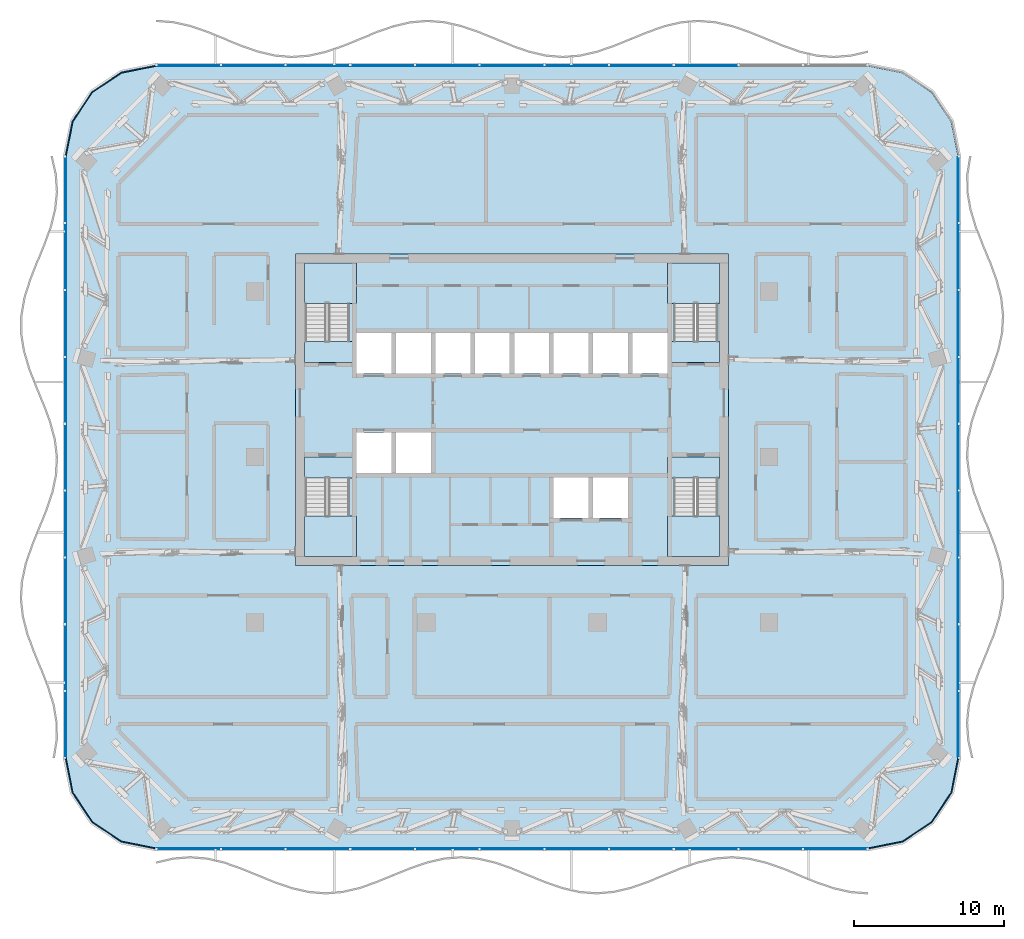
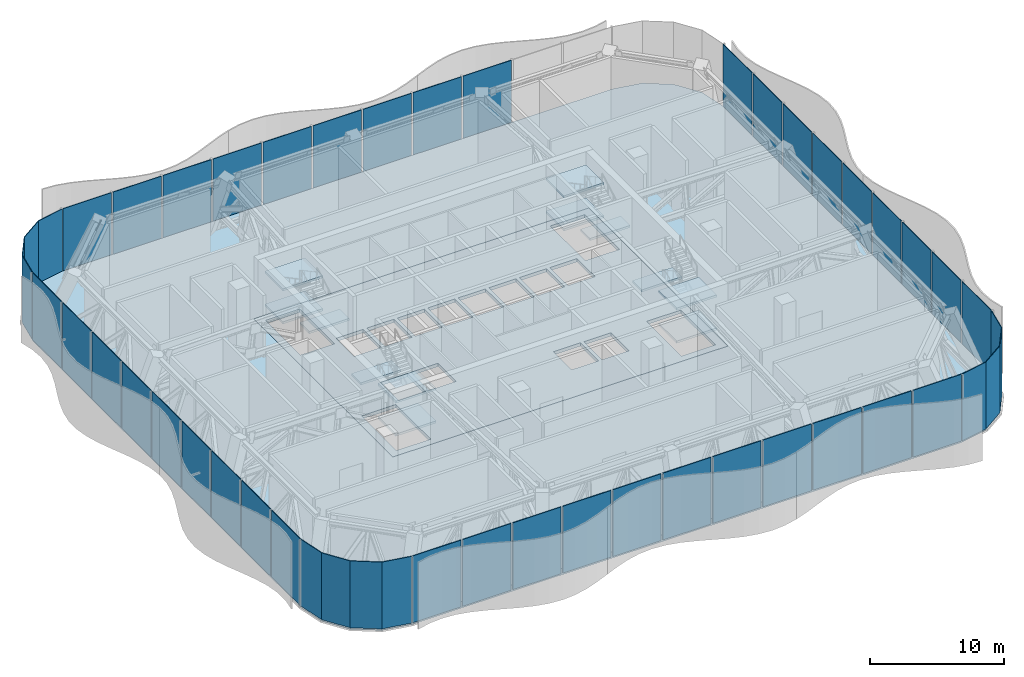
# One storey, part 9 of 29: 41 plates, 14 slabs, 11 elements without a shape of their own.
"""IFC4 building model written with IfcOpenShell, lengths in metres."""

from ifc_helpers import new_model, si_unit, direction, frame, origin, origin_2d, place, context, subcontext, project, spatial, polyline, rectangle, outline, extrude, material, layer, layer_set, type_object, element, aggregate, save


model = new_model("IFC4")

# Units and contexts
model_context = context("Model", 3, precision=1e-05, world=origin(), true_north=direction((0.0, 1.0)))
body_context = subcontext(model_context, "Body", "Model", "MODEL_VIEW")
ifc_project = project(units=[si_unit("LENGTHUNIT", "METRE"), si_unit("AREAUNIT", "SQUARE_METRE"), si_unit("VOLUMEUNIT", "CUBIC_METRE"), si_unit("PLANEANGLEUNIT", "RADIAN"), si_unit("MASSUNIT", "GRAM", prefix="KILO")], contexts=[model_context])

# Site, building, storey
site_placement = place(None, origin())
site = spatial("IfcSite", under=ifc_project, at=site_placement, CompositionType="ELEMENT")
building_placement = place(site_placement, origin())
building = spatial("IfcBuilding", under=site, at=building_placement, Name="Mopane Tessera Tower", CompositionType="ELEMENT")
storey_placement = place(building_placement, frame((0.0, 0.0, 315.39990234375)))
storey = spatial("IfcBuildingStorey", under=building, at=storey_placement, Name="L69", CompositionType="ELEMENT", Elevation=315.39990234375)

# Slab
ifc_material_1 = material(Name="Concrete C40/50", Category="concrete")
ifc_layer_1 = layer(ifc_material_1, 0.300048828125)
ifc_layer_set_1 = layer_set([ifc_layer_1], Name="Concrete C40/50")
slab_type_1 = type_object("IfcSlabType", Name="Core floor slab 300 mm", PredefinedType="FLOOR", material=ifc_layer_set_1)
slab_1_placement = place(storey_placement, frame((0.0, 0.0, -0.2998046875)))
element("IfcSlab", 1, at=slab_1_placement, inside=storey, type_object=slab_type_1, Name="L69 core floor slab", PredefinedType="FLOOR", context=body_context, shape_type="SweptSolid", body=[
    extrude(outline(polyline([(-14.39990234375, -7.199951171875), (14.39990234375, -7.199951171875), (14.39990234375, 13.5), (-14.39990234375, 13.5), (-14.39990234375, -7.199951171875)]), holes=[polyline([(-10.35009765625, -1.050048828125), (-8.02490234375, -1.050048828125), (-8.02490234375, 1.64990234375), (-10.35009765625, 1.64990234375), (-10.35009765625, -1.050048828125)]), polyline([(-7.72509765625, -1.050048828125), (-5.39990234375, -1.050048828125), (-5.39990234375, 1.64990234375), (-7.72509765625, 1.64990234375), (-7.72509765625, -1.050048828125)]), polyline([(-10.35009765625, 5.550048828125), (-8.02490234375, 5.550048828125), (-8.02490234375, 8.25), (-10.35009765625, 8.25), (-10.35009765625, 5.550048828125)]), polyline([(-7.72509765625, 5.550048828125), (-5.39990234375, 5.550048828125), (-5.39990234375, 8.25), (-7.72509765625, 8.25), (-7.72509765625, 5.550048828125)]), polyline([(-5.10009765625, 5.550048828125), (-2.77490234375, 5.550048828125), (-2.77490234375, 8.25), (-5.10009765625, 8.25), (-5.10009765625, 5.550048828125)]), polyline([(-2.47509765625, 5.550048828125), (-0.14990234375, 5.550048828125), (-0.14990234375, 8.25), (-2.47509765625, 8.25), (-2.47509765625, 5.550048828125)]), polyline([(0.14990234375, 5.550048828125), (2.47509765625, 5.550048828125), (2.47509765625, 8.25), (0.14990234375, 8.25), (0.14990234375, 5.550048828125)]), polyline([(2.77490234375, 5.550048828125), (5.10009765625, 5.550048828125), (5.10009765625, 8.25), (2.77490234375, 8.25), (2.77490234375, 5.550048828125)]), polyline([(5.39990234375, 5.550048828125), (7.72509765625, 5.550048828125), (7.72509765625, 8.25), (5.39990234375, 8.25), (5.39990234375, 5.550048828125)]), polyline([(8.02490234375, 5.550048828125), (10.35009765625, 5.550048828125), (10.35009765625, 8.25), (8.02490234375, 8.25), (8.02490234375, 5.550048828125)]), polyline([(2.77490234375, -4.050048828125), (5.10009765625, -4.050048828125), (5.10009765625, -1.35009765625), (2.77490234375, -1.35009765625), (2.77490234375, -4.050048828125)]), polyline([(5.39990234375, -4.050048828125), (7.72509765625, -4.050048828125), (7.72509765625, -1.35009765625), (5.39990234375, -1.35009765625), (5.39990234375, -4.050048828125)]), polyline([(-13.75, -1.405029296875), (-13.75, -6.60009765625), (-10.800048828125, -6.60009765625), (-10.800048828125, -1.405029296875), (-13.75, -1.405029296875)]), polyline([(-10.800048828125, 7.705078125), (-10.800048828125, 12.89990234375), (-13.75, 12.89990234375), (-13.75, 7.705078125), (-10.800048828125, 7.705078125)]), polyline([(10.75, -1.405029296875), (10.75, -6.60009765625), (13.699951171875, -6.60009765625), (13.699951171875, -1.405029296875), (10.75, -1.405029296875)]), polyline([(13.699951171875, 7.705078125), (13.699951171875, 12.89990234375), (10.75, 12.89990234375), (10.75, 7.705078125), (13.699951171875, 7.705078125)])]), origin(), (0.0, 0.0, 1.0), 0.2998046875),
])

# Stair, slabs
ifc_material_2 = material(Name="Concrete C50/60", Category="concrete")
stair_type = type_object("IfcStairType", Name="Escape stair 1400 mm, riser 150 mm", PredefinedType="HALF_TURN_STAIR", material=ifc_material_2)
stair_1_placement = place(storey_placement, origin())
stair_1 = element("IfcStair", 2, at=stair_1_placement, inside=storey, type_object=stair_type, Name="L69 Escape stair south-west", PredefinedType="HALF_TURN_STAIR")
ifc_material_3 = material(Name="Concrete C50/60", Category="concrete")
ifc_layer_2 = layer(ifc_material_3, 0.199951171875)
ifc_layer_set_2 = layer_set([ifc_layer_2], Name="Concrete C50/60")
slab_type_2 = type_object("IfcSlabType", Name="Escape stair landing 200 mm", PredefinedType="LANDING", material=ifc_layer_set_2)
slab_2_placement = place(storey_placement, frame((0.0, 0.0, 1.300048828125)))
slab_2 = element("IfcSlab", 3, at=slab_2_placement, type_object=slab_type_2, Name="ST1 landing 1", PredefinedType="LANDING", context=body_context, shape_type="SweptSolid", body=[
    extrude(outline(polyline([(-13.800048828125, -3.919921875), (-13.800048828125, -6.60009765625), (-10.35009765625, -6.60009765625), (-10.35009765625, -3.919921875), (-13.800048828125, -3.919921875)])), origin(), (0.0, 0.0, 1.0), 0.199951171875),
])
slab_3_placement = place(storey_placement, frame((0.0, 0.0, 2.800048828125)))
slab_3 = element("IfcSlab", 4, at=slab_3_placement, type_object=slab_type_2, Name="ST1 landing 2", PredefinedType="LANDING", context=body_context, shape_type="SweptSolid", body=[
    extrude(outline(polyline([(-13.800048828125, 0.0), (-13.800048828125, -1.39990234375), (-10.35009765625, -1.39990234375), (-10.35009765625, 0.0), (-13.800048828125, 0.0)])), origin(), (0.0, 0.0, 1.0), 0.199951171875),
])
slab_4_placement = place(storey_placement, frame((0.0, 0.0, 4.300048828125)))
slab_4 = element("IfcSlab", 5, at=slab_4_placement, type_object=slab_type_2, Name="ST1 landing 3", PredefinedType="LANDING", context=body_context, shape_type="SweptSolid", body=[
    extrude(outline(polyline([(-13.800048828125, -3.919921875), (-13.800048828125, -6.60009765625), (-10.35009765625, -6.60009765625), (-10.35009765625, -3.919921875), (-13.800048828125, -3.919921875)])), origin(), (0.0, 0.0, 1.0), 0.199951171875),
])
aggregate(stair_1, [slab_2, slab_3, slab_4])

stair_2_placement = place(storey_placement, origin())
stair_2 = element("IfcStair", 6, at=stair_2_placement, inside=storey, type_object=stair_type, Name="L69 Escape stair north-west", PredefinedType="HALF_TURN_STAIR")
slab_5_placement = place(storey_placement, frame((0.0, 0.0, 1.300048828125)))
slab_5 = element("IfcSlab", 7, at=slab_5_placement, type_object=slab_type_2, Name="ST2 landing 1", PredefinedType="LANDING", context=body_context, shape_type="SweptSolid", body=[
    extrude(outline(polyline([(-10.35009765625, 10.219970703125), (-10.35009765625, 12.89990234375), (-13.800048828125, 12.89990234375), (-13.800048828125, 10.219970703125), (-10.35009765625, 10.219970703125)])), origin(), (0.0, 0.0, 1.0), 0.199951171875),
])
slab_6_placement = place(storey_placement, frame((0.0, 0.0, 2.800048828125)))
slab_6 = element("IfcSlab", 8, at=slab_6_placement, type_object=slab_type_2, Name="ST2 landing 2", PredefinedType="LANDING", context=body_context, shape_type="SweptSolid", body=[
    extrude(outline(polyline([(-10.35009765625, 6.300048828125), (-10.35009765625, 7.699951171875), (-13.800048828125, 7.699951171875), (-13.800048828125, 6.300048828125), (-10.35009765625, 6.300048828125)])), origin(), (0.0, 0.0, 1.0), 0.199951171875),
])
slab_7_placement = place(storey_placement, frame((0.0, 0.0, 4.300048828125)))
slab_7 = element("IfcSlab", 9, at=slab_7_placement, type_object=slab_type_2, Name="ST2 landing 3", PredefinedType="LANDING", context=body_context, shape_type="SweptSolid", body=[
    extrude(outline(polyline([(-10.35009765625, 10.219970703125), (-10.35009765625, 12.89990234375), (-13.800048828125, 12.89990234375), (-13.800048828125, 10.219970703125), (-10.35009765625, 10.219970703125)])), origin(), (0.0, 0.0, 1.0), 0.199951171875),
])
aggregate(stair_2, [slab_5, slab_6, slab_7])

stair_3_placement = place(storey_placement, origin())
stair_3 = element("IfcStair", 10, at=stair_3_placement, inside=storey, type_object=stair_type, Name="L69 Escape stair south-east", PredefinedType="HALF_TURN_STAIR")
slab_8_placement = place(storey_placement, frame((0.0, 0.0, 1.300048828125)))
slab_8 = element("IfcSlab", 11, at=slab_8_placement, type_object=slab_type_2, Name="ST3 landing 1", PredefinedType="LANDING", context=body_context, shape_type="SweptSolid", body=[
    extrude(outline(polyline([(10.35009765625, -3.919921875), (10.35009765625, -6.60009765625), (13.800048828125, -6.60009765625), (13.800048828125, -3.919921875), (10.35009765625, -3.919921875)])), origin(), (0.0, 0.0, 1.0), 0.199951171875),
])
slab_9_placement = place(storey_placement, frame((0.0, 0.0, 2.800048828125)))
slab_9 = element("IfcSlab", 12, at=slab_9_placement, type_object=slab_type_2, Name="ST3 landing 2", PredefinedType="LANDING", context=body_context, shape_type="SweptSolid", body=[
    extrude(outline(polyline([(10.35009765625, 0.0), (10.35009765625, -1.39990234375), (13.800048828125, -1.39990234375), (13.800048828125, 0.0), (10.35009765625, 0.0)])), origin(), (0.0, 0.0, 1.0), 0.199951171875),
])
slab_10_placement = place(storey_placement, frame((0.0, 0.0, 4.300048828125)))
slab_10 = element("IfcSlab", 13, at=slab_10_placement, type_object=slab_type_2, Name="ST3 landing 3", PredefinedType="LANDING", context=body_context, shape_type="SweptSolid", body=[
    extrude(outline(polyline([(10.35009765625, -3.919921875), (10.35009765625, -6.60009765625), (13.800048828125, -6.60009765625), (13.800048828125, -3.919921875), (10.35009765625, -3.919921875)])), origin(), (0.0, 0.0, 1.0), 0.199951171875),
])
aggregate(stair_3, [slab_8, slab_9, slab_10])

stair_4_placement = place(storey_placement, origin())
stair_4 = element("IfcStair", 14, at=stair_4_placement, inside=storey, type_object=stair_type, Name="L69 Escape stair north-east", PredefinedType="HALF_TURN_STAIR")
slab_11_placement = place(storey_placement, frame((0.0, 0.0, 1.300048828125)))
slab_11 = element("IfcSlab", 15, at=slab_11_placement, type_object=slab_type_2, Name="ST4 landing 1", PredefinedType="LANDING", context=body_context, shape_type="SweptSolid", body=[
    extrude(outline(polyline([(13.800048828125, 10.219970703125), (13.800048828125, 12.89990234375), (10.35009765625, 12.89990234375), (10.35009765625, 10.219970703125), (13.800048828125, 10.219970703125)])), origin(), (0.0, 0.0, 1.0), 0.199951171875),
])
slab_12_placement = place(storey_placement, frame((0.0, 0.0, 2.800048828125)))
slab_12 = element("IfcSlab", 16, at=slab_12_placement, type_object=slab_type_2, Name="ST4 landing 2", PredefinedType="LANDING", context=body_context, shape_type="SweptSolid", body=[
    extrude(outline(polyline([(13.800048828125, 6.300048828125), (13.800048828125, 7.699951171875), (10.35009765625, 7.699951171875), (10.35009765625, 6.300048828125), (13.800048828125, 6.300048828125)])), origin(), (0.0, 0.0, 1.0), 0.199951171875),
])
slab_13_placement = place(storey_placement, frame((0.0, 0.0, 4.300048828125)))
slab_13 = element("IfcSlab", 17, at=slab_13_placement, type_object=slab_type_2, Name="ST4 landing 3", PredefinedType="LANDING", context=body_context, shape_type="SweptSolid", body=[
    extrude(outline(polyline([(13.800048828125, 10.219970703125), (13.800048828125, 12.89990234375), (10.35009765625, 12.89990234375), (10.35009765625, 10.219970703125), (13.800048828125, 10.219970703125)])), origin(), (0.0, 0.0, 1.0), 0.199951171875),
])
aggregate(stair_4, [slab_11, slab_12, slab_13])

# Slab
ifc_material_4 = material(Name="Concrete C40/50", Category="concrete")
ifc_layer_3 = layer(ifc_material_4, 0.60009765625)
ifc_layer_set_3 = layer_set([ifc_layer_3], Name="Concrete C40/50")
slab_type_3 = type_object("IfcSlabType", Name="Post-tensioned flat plate 600 mm", PredefinedType="FLOOR", material=ifc_layer_set_3)
slab_14_placement = place(storey_placement, frame((0.0, 0.0, -0.599853515625)))
element("IfcSlab", 18, at=slab_14_placement, inside=storey, type_object=slab_type_3, Name="Floor slab L69", PredefinedType="FLOOR", context=body_context, shape_type="SweptSolid", body=[
    extrude(outline(polyline([(-23.64990234375, -26.0), (23.64990234375, -26.0), (25.946044921875, -25.543212890625), (27.892578125, -24.24267578125), (29.193359375, -22.296142578125), (29.64990234375, -20.0), (29.64990234375, 20.0), (29.193359375, 22.296142578125), (27.892578125, 24.24267578125), (25.946044921875, 25.543212890625), (23.64990234375, 26.0), (-23.64990234375, 26.0), (-25.946044921875, 25.543212890625), (-27.892578125, 24.24267578125), (-29.193359375, 22.296142578125), (-29.64990234375, 20.0), (-29.64990234375, -20.0), (-29.193359375, -22.296142578125), (-27.892578125, -24.24267578125), (-25.946044921875, -25.543212890625), (-23.64990234375, -26.0)]), holes=[polyline([(14.39990234375, -7.199951171875), (-14.39990234375, -7.199951171875), (-14.39990234375, 13.5), (14.39990234375, 13.5), (14.39990234375, -7.199951171875)])]), origin(), (0.0, 0.0, 1.0), 0.599853515625),
])

# Curtain wall, plates
ifc_material_5 = material(Name="Aluminium frame", Category="aluminium")
curtain_wall_type = type_object("IfcCurtainWallType", Name="Plant floor unitised wall", PredefinedType="NOTDEFINED", material=ifc_material_5)
curtain_wall_1_placement = place(storey_placement, origin())
curtain_wall_1 = element("IfcCurtainWall", 19, at=curtain_wall_1_placement, inside=storey, type_object=curtain_wall_type, Name="e:cw:L69:S:0", PredefinedType="NOTDEFINED")
ifc_material_6 = material(Name="Limestone spandrel", Category="masonry")
ifc_layer_4 = layer(ifc_material_6, 0.06005859375)
ifc_layer_set_4 = layer_set([ifc_layer_4], Name="Limestone spandrel")
plate_type = type_object("IfcPlateType", Name="Stone spandrel unit", PredefinedType="CURTAIN_PANEL", material=ifc_layer_set_4)
plate_1_placement = place(storey_placement, frame((-21.5, -26.030029296875, -0.419921875), z_axis=(0.0, 0.0, 1.0), x_axis=(1.0, 0.0, 0.0)))
plate_1 = element("IfcPlate", 20, at=plate_1_placement, type_object=plate_type, Name="e:cw:L69:S:0:pn0", PredefinedType="CURTAIN_PANEL", context=body_context, shape_type="SweptSolid", body=[
    extrude(rectangle(XDim=4.159912109375, YDim=0.06005859375, at=origin_2d()), origin(), (0.0, 0.0, 1.0), 6.070068359375),
])
plate_2_placement = place(storey_placement, frame((-17.199951171875, -26.030029296875, -0.419921875), z_axis=(0.0, 0.0, 1.0), x_axis=(1.0, 0.0, 0.0)))
plate_2 = element("IfcPlate", 21, at=plate_2_placement, type_object=plate_type, Name="e:cw:L69:S:0:pn1", PredefinedType="CURTAIN_PANEL", context=body_context, shape_type="SweptSolid", body=[
    extrude(rectangle(XDim=4.159912109375, YDim=0.06005859375, at=origin_2d()), origin(), (0.0, 0.0, 1.0), 6.070068359375),
])
plate_3_placement = place(storey_placement, frame((-12.89990234375, -26.030029296875, -0.419921875), z_axis=(0.0, 0.0, 1.0), x_axis=(1.0, 0.0, 0.0)))
plate_3 = element("IfcPlate", 22, at=plate_3_placement, type_object=plate_type, Name="e:cw:L69:S:0:pn2", PredefinedType="CURTAIN_PANEL", context=body_context, shape_type="SweptSolid", body=[
    extrude(rectangle(XDim=4.159912109375, YDim=0.06005859375, at=origin_2d()), origin(), (0.0, 0.0, 1.0), 6.070068359375),
])
plate_4_placement = place(storey_placement, frame((-8.60009765625, -26.030029296875, -0.419921875), z_axis=(0.0, 0.0, 1.0), x_axis=(1.0, 0.0, 0.0)))
plate_4 = element("IfcPlate", 23, at=plate_4_placement, type_object=plate_type, Name="e:cw:L69:S:0:pn3", PredefinedType="CURTAIN_PANEL", context=body_context, shape_type="SweptSolid", body=[
    extrude(rectangle(XDim=4.159912109375, YDim=0.06005859375, at=origin_2d()), origin(), (0.0, 0.0, 1.0), 6.070068359375),
])
plate_5_placement = place(storey_placement, frame((-4.300048828125, -26.030029296875, -0.419921875), z_axis=(0.0, 0.0, 1.0), x_axis=(1.0, 0.0, 0.0)))
plate_5 = element("IfcPlate", 24, at=plate_5_placement, type_object=plate_type, Name="e:cw:L69:S:0:pn4", PredefinedType="CURTAIN_PANEL", context=body_context, shape_type="SweptSolid", body=[
    extrude(rectangle(XDim=4.159912109375, YDim=0.06005859375, at=origin_2d()), origin(), (0.0, 0.0, 1.0), 6.070068359375),
])
plate_6_placement = place(storey_placement, frame((0.0, -26.030029296875, -0.419921875), z_axis=(0.0, 0.0, 1.0), x_axis=(1.0, 0.0, 0.0)))
plate_6 = element("IfcPlate", 25, at=plate_6_placement, type_object=plate_type, Name="e:cw:L69:S:0:pn5", PredefinedType="CURTAIN_PANEL", context=body_context, shape_type="SweptSolid", body=[
    extrude(rectangle(XDim=4.159912109375, YDim=0.06005859375, at=origin_2d()), origin(), (0.0, 0.0, 1.0), 6.070068359375),
])
plate_7_placement = place(storey_placement, frame((4.300048828125, -26.030029296875, -0.419921875), z_axis=(0.0, 0.0, 1.0), x_axis=(1.0, 0.0, 0.0)))
plate_7 = element("IfcPlate", 26, at=plate_7_placement, type_object=plate_type, Name="e:cw:L69:S:0:pn6", PredefinedType="CURTAIN_PANEL", context=body_context, shape_type="SweptSolid", body=[
    extrude(rectangle(XDim=4.159912109375, YDim=0.06005859375, at=origin_2d()), origin(), (0.0, 0.0, 1.0), 6.070068359375),
])
plate_8_placement = place(storey_placement, frame((8.60009765625, -26.030029296875, -0.419921875), z_axis=(0.0, 0.0, 1.0), x_axis=(1.0, 0.0, 0.0)))
plate_8 = element("IfcPlate", 27, at=plate_8_placement, type_object=plate_type, Name="e:cw:L69:S:0:pn7", PredefinedType="CURTAIN_PANEL", context=body_context, shape_type="SweptSolid", body=[
    extrude(rectangle(XDim=4.159912109375, YDim=0.06005859375, at=origin_2d()), origin(), (0.0, 0.0, 1.0), 6.070068359375),
])
plate_9_placement = place(storey_placement, frame((12.89990234375, -26.030029296875, -0.419921875), z_axis=(0.0, 0.0, 1.0), x_axis=(1.0, 0.0, 0.0)))
plate_9 = element("IfcPlate", 28, at=plate_9_placement, type_object=plate_type, Name="e:cw:L69:S:0:pn8", PredefinedType="CURTAIN_PANEL", context=body_context, shape_type="SweptSolid", body=[
    extrude(rectangle(XDim=4.159912109375, YDim=0.06005859375, at=origin_2d()), origin(), (0.0, 0.0, 1.0), 6.070068359375),
])
plate_10_placement = place(storey_placement, frame((17.199951171875, -26.030029296875, -0.419921875), z_axis=(0.0, 0.0, 1.0), x_axis=(1.0, 0.0, 0.0)))
plate_10 = element("IfcPlate", 29, at=plate_10_placement, type_object=plate_type, Name="e:cw:L69:S:0:pn9", PredefinedType="CURTAIN_PANEL", context=body_context, shape_type="SweptSolid", body=[
    extrude(rectangle(XDim=4.159912109375, YDim=0.06005859375, at=origin_2d()), origin(), (0.0, 0.0, 1.0), 6.070068359375),
])
plate_11_placement = place(storey_placement, frame((21.5, -26.030029296875, -0.419921875), z_axis=(0.0, 0.0, 1.0), x_axis=(1.0, 0.0, 0.0)))
plate_11 = element("IfcPlate", 30, at=plate_11_placement, type_object=plate_type, Name="e:cw:L69:S:0:pn10", PredefinedType="CURTAIN_PANEL", context=body_context, shape_type="SweptSolid", body=[
    extrude(rectangle(XDim=4.159912109375, YDim=0.06005859375, at=origin_2d()), origin(), (0.0, 0.0, 1.0), 6.070068359375),
])
aggregate(curtain_wall_1, [plate_1, plate_2, plate_3, plate_4, plate_5, plate_6, plate_7, plate_8, plate_9, plate_10, plate_11])

# Curtain wall, plate
curtain_wall_2_placement = place(storey_placement, origin())
curtain_wall_2 = element("IfcCurtainWall", 31, at=curtain_wall_2_placement, inside=storey, type_object=curtain_wall_type, Name="e:cw:L69:CS", PredefinedType="NOTDEFINED")
plate_12_placement = place(storey_placement, frame((0.0, 0.0, -0.419921875)))
plate_12 = element("IfcPlate", 32, at=plate_12_placement, type_object=plate_type, Name="e:cw:L69:CS:pn", PredefinedType="CURTAIN_PANEL", context=body_context, shape_type="SweptSolid", body=[
    extrude(outline(polyline([(23.64990234375, -26.0), (25.946044921875, -25.543212890625), (27.892578125, -24.24267578125), (29.193359375, -22.296142578125), (29.64990234375, -20.0), (29.7099609375, -20.0), (29.248779296875, -22.319091796875), (27.93505859375, -24.28515625), (25.968994140625, -25.5986328125), (23.64990234375, -26.06005859375), (23.64990234375, -26.0)])), origin(), (0.0, 0.0, 1.0), 6.070068359375),
])
aggregate(curtain_wall_2, [plate_12])

# Curtain wall, plates
curtain_wall_3_placement = place(storey_placement, origin())
curtain_wall_3 = element("IfcCurtainWall", 33, at=curtain_wall_3_placement, inside=storey, type_object=curtain_wall_type, Name="e:cw:L69:E:0", PredefinedType="NOTDEFINED")
plate_13_placement = place(storey_placement, frame((29.679931640625, -17.77783203125, -0.419921875), z_axis=(0.0, 0.0, 1.0), x_axis=(0.0, 1.0, 0.0)))
plate_13 = element("IfcPlate", 34, at=plate_13_placement, type_object=plate_type, Name="e:cw:L69:E:0:pn0", PredefinedType="CURTAIN_PANEL", context=body_context, shape_type="SweptSolid", body=[
    extrude(rectangle(XDim=4.304443359375, YDim=0.06005859375, at=origin_2d()), origin(), (0.0, 0.0, 1.0), 6.070068359375),
])
plate_14_placement = place(storey_placement, frame((29.679931640625, -13.333251953125, -0.419921875), z_axis=(0.0, 0.0, 1.0), x_axis=(0.0, 1.0, 0.0)))
plate_14 = element("IfcPlate", 35, at=plate_14_placement, type_object=plate_type, Name="e:cw:L69:E:0:pn1", PredefinedType="CURTAIN_PANEL", context=body_context, shape_type="SweptSolid", body=[
    extrude(rectangle(XDim=4.304443359375, YDim=0.06005859375, at=origin_2d()), origin(), (0.0, 0.0, 1.0), 6.070068359375),
])
plate_15_placement = place(storey_placement, frame((29.679931640625, -8.888916015625, -0.419921875), z_axis=(0.0, 0.0, 1.0), x_axis=(0.0, 1.0, 0.0)))
plate_15 = element("IfcPlate", 36, at=plate_15_placement, type_object=plate_type, Name="e:cw:L69:E:0:pn2", PredefinedType="CURTAIN_PANEL", context=body_context, shape_type="SweptSolid", body=[
    extrude(rectangle(XDim=4.304443359375, YDim=0.06005859375, at=origin_2d()), origin(), (0.0, 0.0, 1.0), 6.070068359375),
])
plate_16_placement = place(storey_placement, frame((29.679931640625, -4.4443359375, -0.419921875), z_axis=(0.0, 0.0, 1.0), x_axis=(0.0, 1.0, 0.0)))
plate_16 = element("IfcPlate", 37, at=plate_16_placement, type_object=plate_type, Name="e:cw:L69:E:0:pn3", PredefinedType="CURTAIN_PANEL", context=body_context, shape_type="SweptSolid", body=[
    extrude(rectangle(XDim=4.304443359375, YDim=0.06005859375, at=origin_2d()), origin(), (0.0, 0.0, 1.0), 6.070068359375),
])
plate_17_placement = place(storey_placement, frame((29.679931640625, 0.0, -0.419921875), z_axis=(0.0, 0.0, 1.0), x_axis=(0.0, 1.0, 0.0)))
plate_17 = element("IfcPlate", 38, at=plate_17_placement, type_object=plate_type, Name="e:cw:L69:E:0:pn4", PredefinedType="CURTAIN_PANEL", context=body_context, shape_type="SweptSolid", body=[
    extrude(rectangle(XDim=4.304443359375, YDim=0.06005859375, at=origin_2d()), origin(), (0.0, 0.0, 1.0), 6.070068359375),
])
plate_18_placement = place(storey_placement, frame((29.679931640625, 4.4443359375, -0.419921875), z_axis=(0.0, 0.0, 1.0), x_axis=(0.0, 1.0, 0.0)))
plate_18 = element("IfcPlate", 39, at=plate_18_placement, type_object=plate_type, Name="e:cw:L69:E:0:pn5", PredefinedType="CURTAIN_PANEL", context=body_context, shape_type="SweptSolid", body=[
    extrude(rectangle(XDim=4.304443359375, YDim=0.06005859375, at=origin_2d()), origin(), (0.0, 0.0, 1.0), 6.070068359375),
])
plate_19_placement = place(storey_placement, frame((29.679931640625, 8.888916015625, -0.419921875), z_axis=(0.0, 0.0, 1.0), x_axis=(0.0, 1.0, 0.0)))
plate_19 = element("IfcPlate", 40, at=plate_19_placement, type_object=plate_type, Name="e:cw:L69:E:0:pn6", PredefinedType="CURTAIN_PANEL", context=body_context, shape_type="SweptSolid", body=[
    extrude(rectangle(XDim=4.304443359375, YDim=0.06005859375, at=origin_2d()), origin(), (0.0, 0.0, 1.0), 6.070068359375),
])
plate_20_placement = place(storey_placement, frame((29.679931640625, 13.333251953125, -0.419921875), z_axis=(0.0, 0.0, 1.0), x_axis=(0.0, 1.0, 0.0)))
plate_20 = element("IfcPlate", 41, at=plate_20_placement, type_object=plate_type, Name="e:cw:L69:E:0:pn7", PredefinedType="CURTAIN_PANEL", context=body_context, shape_type="SweptSolid", body=[
    extrude(rectangle(XDim=4.304443359375, YDim=0.06005859375, at=origin_2d()), origin(), (0.0, 0.0, 1.0), 6.070068359375),
])
plate_21_placement = place(storey_placement, frame((29.679931640625, 17.77783203125, -0.419921875), z_axis=(0.0, 0.0, 1.0), x_axis=(0.0, 1.0, 0.0)))
plate_21 = element("IfcPlate", 42, at=plate_21_placement, type_object=plate_type, Name="e:cw:L69:E:0:pn8", PredefinedType="CURTAIN_PANEL", context=body_context, shape_type="SweptSolid", body=[
    extrude(rectangle(XDim=4.304443359375, YDim=0.06005859375, at=origin_2d()), origin(), (0.0, 0.0, 1.0), 6.070068359375),
])
aggregate(curtain_wall_3, [plate_13, plate_14, plate_15, plate_16, plate_17, plate_18, plate_19, plate_20, plate_21])

curtain_wall_4_placement = place(storey_placement, origin())
curtain_wall_4 = element("IfcCurtainWall", 43, at=curtain_wall_4_placement, inside=storey, type_object=curtain_wall_type, Name="e:cw:L69:N:0", PredefinedType="NOTDEFINED")
plate_22_placement = place(storey_placement, frame((12.89990234375, 26.030029296875, -0.419921875), z_axis=(0.0, 0.0, 1.0), x_axis=(-1.0, 0.0, 0.0)))
plate_22 = element("IfcPlate", 44, at=plate_22_placement, type_object=plate_type, Name="e:cw:L69:N:0:pn2", PredefinedType="CURTAIN_PANEL", context=body_context, shape_type="SweptSolid", body=[
    extrude(rectangle(XDim=4.159912109375, YDim=0.06005859375, at=origin_2d()), origin(), (0.0, 0.0, 1.0), 6.070068359375),
])
plate_23_placement = place(storey_placement, frame((8.60009765625, 26.030029296875, -0.419921875), z_axis=(0.0, 0.0, 1.0), x_axis=(-1.0, 0.0, 0.0)))
plate_23 = element("IfcPlate", 45, at=plate_23_placement, type_object=plate_type, Name="e:cw:L69:N:0:pn3", PredefinedType="CURTAIN_PANEL", context=body_context, shape_type="SweptSolid", body=[
    extrude(rectangle(XDim=4.159912109375, YDim=0.06005859375, at=origin_2d()), origin(), (0.0, 0.0, 1.0), 6.070068359375),
])
plate_24_placement = place(storey_placement, frame((4.300048828125, 26.030029296875, -0.419921875), z_axis=(0.0, 0.0, 1.0), x_axis=(-1.0, 0.0, 0.0)))
plate_24 = element("IfcPlate", 46, at=plate_24_placement, type_object=plate_type, Name="e:cw:L69:N:0:pn4", PredefinedType="CURTAIN_PANEL", context=body_context, shape_type="SweptSolid", body=[
    extrude(rectangle(XDim=4.159912109375, YDim=0.06005859375, at=origin_2d()), origin(), (0.0, 0.0, 1.0), 6.070068359375),
])
plate_25_placement = place(storey_placement, frame((0.0, 26.030029296875, -0.419921875), z_axis=(0.0, 0.0, 1.0), x_axis=(-1.0, 0.0, 0.0)))
plate_25 = element("IfcPlate", 47, at=plate_25_placement, type_object=plate_type, Name="e:cw:L69:N:0:pn5", PredefinedType="CURTAIN_PANEL", context=body_context, shape_type="SweptSolid", body=[
    extrude(rectangle(XDim=4.159912109375, YDim=0.06005859375, at=origin_2d()), origin(), (0.0, 0.0, 1.0), 6.070068359375),
])
plate_26_placement = place(storey_placement, frame((-4.300048828125, 26.030029296875, -0.419921875), z_axis=(0.0, 0.0, 1.0), x_axis=(-1.0, 0.0, 0.0)))
plate_26 = element("IfcPlate", 48, at=plate_26_placement, type_object=plate_type, Name="e:cw:L69:N:0:pn6", PredefinedType="CURTAIN_PANEL", context=body_context, shape_type="SweptSolid", body=[
    extrude(rectangle(XDim=4.159912109375, YDim=0.06005859375, at=origin_2d()), origin(), (0.0, 0.0, 1.0), 6.070068359375),
])
plate_27_placement = place(storey_placement, frame((-8.60009765625, 26.030029296875, -0.419921875), z_axis=(0.0, 0.0, 1.0), x_axis=(-1.0, 0.0, 0.0)))
plate_27 = element("IfcPlate", 49, at=plate_27_placement, type_object=plate_type, Name="e:cw:L69:N:0:pn7", PredefinedType="CURTAIN_PANEL", context=body_context, shape_type="SweptSolid", body=[
    extrude(rectangle(XDim=4.159912109375, YDim=0.06005859375, at=origin_2d()), origin(), (0.0, 0.0, 1.0), 6.070068359375),
])
plate_28_placement = place(storey_placement, frame((-12.89990234375, 26.030029296875, -0.419921875), z_axis=(0.0, 0.0, 1.0), x_axis=(-1.0, 0.0, 0.0)))
plate_28 = element("IfcPlate", 50, at=plate_28_placement, type_object=plate_type, Name="e:cw:L69:N:0:pn8", PredefinedType="CURTAIN_PANEL", context=body_context, shape_type="SweptSolid", body=[
    extrude(rectangle(XDim=4.159912109375, YDim=0.06005859375, at=origin_2d()), origin(), (0.0, 0.0, 1.0), 6.070068359375),
])
plate_29_placement = place(storey_placement, frame((-17.199951171875, 26.030029296875, -0.419921875), z_axis=(0.0, 0.0, 1.0), x_axis=(-1.0, 0.0, 0.0)))
plate_29 = element("IfcPlate", 51, at=plate_29_placement, type_object=plate_type, Name="e:cw:L69:N:0:pn9", PredefinedType="CURTAIN_PANEL", context=body_context, shape_type="SweptSolid", body=[
    extrude(rectangle(XDim=4.159912109375, YDim=0.06005859375, at=origin_2d()), origin(), (0.0, 0.0, 1.0), 6.070068359375),
])
plate_30_placement = place(storey_placement, frame((-21.5, 26.030029296875, -0.419921875), z_axis=(0.0, 0.0, 1.0), x_axis=(-1.0, 0.0, 0.0)))
plate_30 = element("IfcPlate", 52, at=plate_30_placement, type_object=plate_type, Name="e:cw:L69:N:0:pn10", PredefinedType="CURTAIN_PANEL", context=body_context, shape_type="SweptSolid", body=[
    extrude(rectangle(XDim=4.159912109375, YDim=0.06005859375, at=origin_2d()), origin(), (0.0, 0.0, 1.0), 6.070068359375),
])
aggregate(curtain_wall_4, [plate_22, plate_23, plate_24, plate_25, plate_26, plate_27, plate_28, plate_29, plate_30])

# Curtain wall, plate
curtain_wall_5_placement = place(storey_placement, origin())
curtain_wall_5 = element("IfcCurtainWall", 53, at=curtain_wall_5_placement, inside=storey, type_object=curtain_wall_type, Name="e:cw:L69:CN", PredefinedType="NOTDEFINED")
plate_31_placement = place(storey_placement, frame((0.0, 0.0, -0.419921875)))
plate_31 = element("IfcPlate", 54, at=plate_31_placement, type_object=plate_type, Name="e:cw:L69:CN:pn", PredefinedType="CURTAIN_PANEL", context=body_context, shape_type="SweptSolid", body=[
    extrude(outline(polyline([(-23.64990234375, 26.0), (-25.946044921875, 25.543212890625), (-27.892578125, 24.24267578125), (-29.193359375, 22.296142578125), (-29.64990234375, 20.0), (-29.7099609375, 20.0), (-29.248779296875, 22.319091796875), (-27.93505859375, 24.28515625), (-25.968994140625, 25.5986328125), (-23.64990234375, 26.06005859375), (-23.64990234375, 26.0)])), origin(), (0.0, 0.0, 1.0), 6.070068359375),
])
aggregate(curtain_wall_5, [plate_31])

# Curtain wall, plates
curtain_wall_6_placement = place(storey_placement, origin())
curtain_wall_6 = element("IfcCurtainWall", 55, at=curtain_wall_6_placement, inside=storey, type_object=curtain_wall_type, Name="e:cw:L69:W:0", PredefinedType="NOTDEFINED")
plate_32_placement = place(storey_placement, frame((-29.679931640625, 17.77783203125, -0.419921875), z_axis=(0.0, 0.0, 1.0), x_axis=(0.0, -1.0, 0.0)))
plate_32 = element("IfcPlate", 56, at=plate_32_placement, type_object=plate_type, Name="e:cw:L69:W:0:pn0", PredefinedType="CURTAIN_PANEL", context=body_context, shape_type="SweptSolid", body=[
    extrude(rectangle(XDim=4.304443359375, YDim=0.06005859375, at=origin_2d()), origin(), (0.0, 0.0, 1.0), 6.070068359375),
])
plate_33_placement = place(storey_placement, frame((-29.679931640625, 13.333251953125, -0.419921875), z_axis=(0.0, 0.0, 1.0), x_axis=(0.0, -1.0, 0.0)))
plate_33 = element("IfcPlate", 57, at=plate_33_placement, type_object=plate_type, Name="e:cw:L69:W:0:pn1", PredefinedType="CURTAIN_PANEL", context=body_context, shape_type="SweptSolid", body=[
    extrude(rectangle(XDim=4.304443359375, YDim=0.06005859375, at=origin_2d()), origin(), (0.0, 0.0, 1.0), 6.070068359375),
])
plate_34_placement = place(storey_placement, frame((-29.679931640625, 8.888916015625, -0.419921875), z_axis=(0.0, 0.0, 1.0), x_axis=(0.0, -1.0, 0.0)))
plate_34 = element("IfcPlate", 58, at=plate_34_placement, type_object=plate_type, Name="e:cw:L69:W:0:pn2", PredefinedType="CURTAIN_PANEL", context=body_context, shape_type="SweptSolid", body=[
    extrude(rectangle(XDim=4.304443359375, YDim=0.06005859375, at=origin_2d()), origin(), (0.0, 0.0, 1.0), 6.070068359375),
])
plate_35_placement = place(storey_placement, frame((-29.679931640625, 4.4443359375, -0.419921875), z_axis=(0.0, 0.0, 1.0), x_axis=(0.0, -1.0, 0.0)))
plate_35 = element("IfcPlate", 59, at=plate_35_placement, type_object=plate_type, Name="e:cw:L69:W:0:pn3", PredefinedType="CURTAIN_PANEL", context=body_context, shape_type="SweptSolid", body=[
    extrude(rectangle(XDim=4.304443359375, YDim=0.06005859375, at=origin_2d()), origin(), (0.0, 0.0, 1.0), 6.070068359375),
])
plate_36_placement = place(storey_placement, frame((-29.679931640625, 0.0, -0.419921875), z_axis=(0.0, 0.0, 1.0), x_axis=(0.0, -1.0, 0.0)))
plate_36 = element("IfcPlate", 60, at=plate_36_placement, type_object=plate_type, Name="e:cw:L69:W:0:pn4", PredefinedType="CURTAIN_PANEL", context=body_context, shape_type="SweptSolid", body=[
    extrude(rectangle(XDim=4.304443359375, YDim=0.06005859375, at=origin_2d()), origin(), (0.0, 0.0, 1.0), 6.070068359375),
])
plate_37_placement = place(storey_placement, frame((-29.679931640625, -4.4443359375, -0.419921875), z_axis=(0.0, 0.0, 1.0), x_axis=(0.0, -1.0, 0.0)))
plate_37 = element("IfcPlate", 61, at=plate_37_placement, type_object=plate_type, Name="e:cw:L69:W:0:pn5", PredefinedType="CURTAIN_PANEL", context=body_context, shape_type="SweptSolid", body=[
    extrude(rectangle(XDim=4.304443359375, YDim=0.06005859375, at=origin_2d()), origin(), (0.0, 0.0, 1.0), 6.070068359375),
])
plate_38_placement = place(storey_placement, frame((-29.679931640625, -8.888916015625, -0.419921875), z_axis=(0.0, 0.0, 1.0), x_axis=(0.0, -1.0, 0.0)))
plate_38 = element("IfcPlate", 62, at=plate_38_placement, type_object=plate_type, Name="e:cw:L69:W:0:pn6", PredefinedType="CURTAIN_PANEL", context=body_context, shape_type="SweptSolid", body=[
    extrude(rectangle(XDim=4.304443359375, YDim=0.06005859375, at=origin_2d()), origin(), (0.0, 0.0, 1.0), 6.070068359375),
])
plate_39_placement = place(storey_placement, frame((-29.679931640625, -13.333251953125, -0.419921875), z_axis=(0.0, 0.0, 1.0), x_axis=(0.0, -1.0, 0.0)))
plate_39 = element("IfcPlate", 63, at=plate_39_placement, type_object=plate_type, Name="e:cw:L69:W:0:pn7", PredefinedType="CURTAIN_PANEL", context=body_context, shape_type="SweptSolid", body=[
    extrude(rectangle(XDim=4.304443359375, YDim=0.06005859375, at=origin_2d()), origin(), (0.0, 0.0, 1.0), 6.070068359375),
])
plate_40_placement = place(storey_placement, frame((-29.679931640625, -17.77783203125, -0.419921875), z_axis=(0.0, 0.0, 1.0), x_axis=(0.0, -1.0, 0.0)))
plate_40 = element("IfcPlate", 64, at=plate_40_placement, type_object=plate_type, Name="e:cw:L69:W:0:pn8", PredefinedType="CURTAIN_PANEL", context=body_context, shape_type="SweptSolid", body=[
    extrude(rectangle(XDim=4.304443359375, YDim=0.06005859375, at=origin_2d()), origin(), (0.0, 0.0, 1.0), 6.070068359375),
])
aggregate(curtain_wall_6, [plate_32, plate_33, plate_34, plate_35, plate_36, plate_37, plate_38, plate_39, plate_40])

# Curtain wall, plate
curtain_wall_7_placement = place(storey_placement, origin())
curtain_wall_7 = element("IfcCurtainWall", 65, at=curtain_wall_7_placement, inside=storey, type_object=curtain_wall_type, Name="e:cw:L69:CW", PredefinedType="NOTDEFINED")
plate_41_placement = place(storey_placement, frame((0.0, 0.0, -0.419921875)))
plate_41 = element("IfcPlate", 66, at=plate_41_placement, type_object=plate_type, Name="e:cw:L69:CW:pn", PredefinedType="CURTAIN_PANEL", context=body_context, shape_type="SweptSolid", body=[
    extrude(outline(polyline([(-29.64990234375, -20.0), (-29.193359375, -22.296142578125), (-27.892578125, -24.24267578125), (-25.946044921875, -25.543212890625), (-23.64990234375, -26.0), (-23.64990234375, -26.06005859375), (-25.968994140625, -25.5986328125), (-27.93505859375, -24.28515625), (-29.248779296875, -22.319091796875), (-29.7099609375, -20.0), (-29.64990234375, -20.0)])), origin(), (0.0, 0.0, 1.0), 6.070068359375),
])
aggregate(curtain_wall_7, [plate_41])

save(model, "model.ifc")
